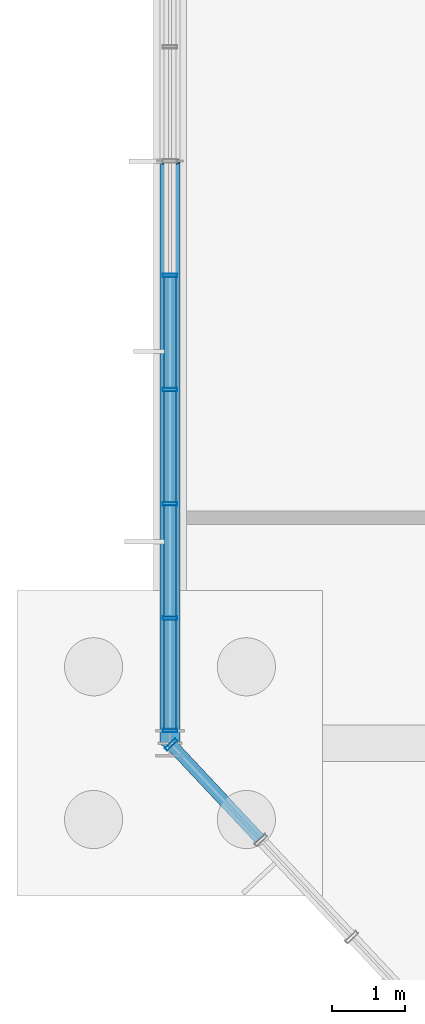
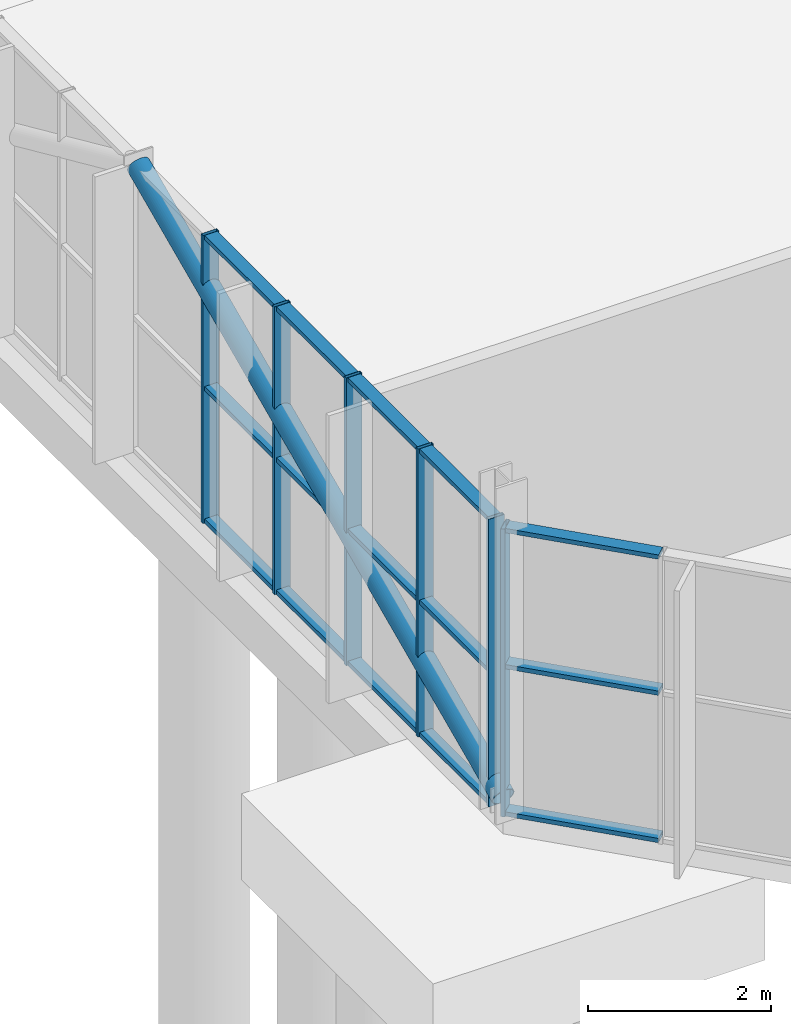
# One storey, part 28 of 136: 22 members, 2 elements without a shape of their own.
"""IFC4 building model written with IfcOpenShell, lengths in metres."""

from ifc_helpers import new_model, si_unit, direction, frame, origin, origin_2d, place, context, subcontext, project, spatial, hollow_rectangle, hollow_circle, extrude, material, layer, layer_set, material_profile, profile_set, type_object, element, aggregate, save


model = new_model("IFC4")

# Units and contexts
model_context = context("Model", 3, precision=1e-05, world=origin(), true_north=direction((0.0, 1.0)))
body_context = subcontext(model_context, "Body", "Model", "MODEL_VIEW")
ifc_project = project(units=[si_unit("LENGTHUNIT", "METRE"), si_unit("AREAUNIT", "SQUARE_METRE"), si_unit("VOLUMEUNIT", "CUBIC_METRE"), si_unit("PLANEANGLEUNIT", "RADIAN"), si_unit("MASSUNIT", "GRAM", prefix="KILO")], contexts=[model_context])

# Site, building, storey
site_placement = place(None, origin())
site = spatial("IfcSite", under=ifc_project, at=site_placement, CompositionType="ELEMENT")
building_placement = place(site_placement, origin())
building = spatial("IfcBuilding", under=site, at=building_placement, Name="Solvenia Promenade Tram Depot", CompositionType="ELEMENT")
storey_placement = place(building_placement, origin())
storey = spatial("IfcBuildingStorey", under=building, at=storey_placement, Name="L00", CompositionType="ELEMENT", Elevation=0.0)

# Member
ifc_material_1 = material(Name="Structural steel ASTM A500 Gr. C", Category="steel")
ifc_material_profile_1 = material_profile(ifc_material_1, hollow_circle(Radius=0.136474609375, WallThickness=0.010009765625, at=origin_2d()), Name="CHS273.0x10", Category="steel")
ifc_profile_set_1 = profile_set([ifc_material_profile_1], Name="Structural steel ASTM A500 Gr. C")
member_type_1 = type_object("IfcMemberType", Name="Brace-CHS273x10", PredefinedType="BRACE", material=ifc_profile_set_1)
member_1_placement = place(storey_placement, frame((0.0, 8.0, 0.199951171875), z_axis=(0.0, 0.91191733938, 0.410373934525), x_axis=(-1.0, 0.0, 0.0)))
element("IfcMember", 1, at=member_1_placement, inside=storey, type_object=member_type_1, Name="PAC-DES Chevron Brace 12L", PredefinedType="BRACE", context=body_context, shape_type="SweptSolid", body=[
    extrude(hollow_circle(Radius=0.136474609375, WallThickness=0.010009765625, at=origin_2d()), origin(), (0.0, 0.0, 1.0), 8.772705078125),
])

# Curtain wall, member
ifc_material_2 = material(Name="Anodized aluminium AW-6063 T6", Category="aluminium")
ifc_layer_1 = layer(ifc_material_2, 0.179931640625, Name="Anodized aluminium AW-6063 T6", Category="aluminium")
ifc_layer_set_1 = layer_set([ifc_layer_1], Name="Anodized aluminium AW-6063 T6")
curtain_wall_type_1 = type_object("IfcCurtainWallType", Name="CW-Prom-1800", PredefinedType="NOTDEFINED", material=ifc_layer_set_1)
curtain_wall_1_placement = place(storey_placement, origin())
curtain_wall_1 = element("IfcCurtainWall", 2, at=curtain_wall_1_placement, inside=storey, type_object=curtain_wall_type_1, Name="L00 West Park Faceted Prow Curtain Wall", PredefinedType="NOTDEFINED")
ifc_material_profile_2 = material_profile(ifc_material_2, hollow_rectangle(XDim=0.199951171875, YDim=0.048095703125, WallThickness=0.00390625, at=origin_2d()), Name="ALU-M3", Category="aluminium")
ifc_profile_set_2 = profile_set([ifc_material_profile_2], Name="Anodized aluminium AW-6063 T6")
member_type_2 = type_object("IfcMemberType", Name="CWM-Mullion-3", PredefinedType="MULLION", material=ifc_profile_set_2)
member_2_placement = place(storey_placement, frame((0.016357421875, 7.982421875, 0.0), z_axis=(0.0, 0.0, 1.0), x_axis=(0.72953720414, 0.683941128881, 0.0)))
member_2 = element("IfcMember", 3, at=member_2_placement, type_object=member_type_2, Name="CW-9 mullion 1", PredefinedType="MULLION", context=body_context, shape_type="SweptSolid", body=[
    extrude(hollow_rectangle(XDim=0.199951171875, YDim=0.048095703125, WallThickness=0.00390625, at=origin_2d()), origin(), (0.0, 0.0, 1.0), 3.85009765625),
])

# Curtain wall, members
ifc_layer_2 = layer(ifc_material_2, 0.179931640625, Name="Anodized aluminium AW-6063 T6", Category="aluminium")
ifc_layer_set_2 = layer_set([ifc_layer_2], Name="Anodized aluminium AW-6063 T6")
curtain_wall_type_2 = type_object("IfcCurtainWallType", Name="CW-Solar-1500", PredefinedType="NOTDEFINED", material=ifc_layer_set_2)
curtain_wall_2_placement = place(storey_placement, origin())
curtain_wall_2 = element("IfcCurtainWall", 4, at=curtain_wall_2_placement, inside=storey, type_object=curtain_wall_type_2, Name="Curtain Wall CW-V4W-L00", PredefinedType="NOTDEFINED")
member_3_placement = place(storey_placement, frame((0.0, 8.174072265625, 0.0), z_axis=(0.0, 0.0, 1.0), x_axis=(-1.0, 0.0, 0.0)))
member_3 = element("IfcMember", 5, at=member_3_placement, type_object=member_type_2, Name="CW-7 mullion 1", PredefinedType="MULLION", context=body_context, shape_type="SweptSolid", body=[
    extrude(hollow_rectangle(XDim=0.199951171875, YDim=0.048095703125, WallThickness=0.00390625, at=origin_2d()), origin(), (0.0, 0.0, 1.0), 3.85009765625),
])
member_4_placement = place(storey_placement, frame((0.0, 9.719970703125, 0.0), z_axis=(0.0, 0.0, 1.0), x_axis=(-1.0, 0.0, 0.0)))
member_4 = element("IfcMember", 6, at=member_4_placement, type_object=member_type_2, Name="CW-7 mullion 2", PredefinedType="MULLION", context=body_context, shape_type="SweptSolid", body=[
    extrude(hollow_rectangle(XDim=0.199951171875, YDim=0.048095703125, WallThickness=0.00390625, at=origin_2d()), origin(), (0.0, 0.0, 1.0), 3.85009765625),
])
member_5_placement = place(storey_placement, frame((0.0, 11.2900390625, 0.0), z_axis=(0.0, 0.0, 1.0), x_axis=(-1.0, 0.0, 0.0)))
member_5 = element("IfcMember", 7, at=member_5_placement, type_object=member_type_2, Name="CW-7 mullion 3", PredefinedType="MULLION", context=body_context, shape_type="SweptSolid", body=[
    extrude(hollow_rectangle(XDim=0.199951171875, YDim=0.048095703125, WallThickness=0.00390625, at=origin_2d()), origin(), (0.0, 0.0, 1.0), 3.85009765625),
])
member_6_placement = place(storey_placement, frame((0.0, 12.860107421875, 0.0), z_axis=(0.0, 0.0, 1.0), x_axis=(-1.0, 0.0, 0.0)))
member_6 = element("IfcMember", 8, at=member_6_placement, type_object=member_type_2, Name="CW-7 mullion 4", PredefinedType="MULLION", context=body_context, shape_type="SweptSolid", body=[
    extrude(hollow_rectangle(XDim=0.199951171875, YDim=0.048095703125, WallThickness=0.00390625, at=origin_2d()), origin(), (0.0, 0.0, 1.0), 3.85009765625),
])
member_7_placement = place(storey_placement, frame((0.0, 14.429931640625, 0.0), z_axis=(0.0, 0.0, 1.0), x_axis=(-1.0, 0.0, 0.0)))
member_7 = element("IfcMember", 9, at=member_7_placement, type_object=member_type_2, Name="CW-7 mullion 5", PredefinedType="MULLION", context=body_context, shape_type="SweptSolid", body=[
    extrude(hollow_rectangle(XDim=0.199951171875, YDim=0.048095703125, WallThickness=0.00390625, at=origin_2d()), origin(), (0.0, 0.0, 1.0), 3.85009765625),
])

# Member
ifc_material_profile_3 = material_profile(ifc_material_2, hollow_rectangle(XDim=0.159912109375, YDim=0.05810546875, WallThickness=0.00390625, at=origin_2d()), Name="ALU-T3", Category="aluminium")
ifc_profile_set_3 = profile_set([ifc_material_profile_3], Name="Anodized aluminium AW-6063 T6")
member_type_3 = type_object("IfcMemberType", Name="CWT-Transom-3", PredefinedType="USERDEFINED", material=ifc_profile_set_3)
member_8_placement = place(storey_placement, frame((0.03271484375, 7.965087890625, 0.029052734375), z_axis=(0.683936503845, -0.729541540084, 0.0), x_axis=(0.729541540084, 0.683936503845, 0.0)))
member_8 = element("IfcMember", 10, at=member_8_placement, type_object=member_type_3, Name="CW-9 transom 1.1", ObjectType="TRANSOM", PredefinedType="USERDEFINED", context=body_context, shape_type="SweptSolid", body=[
    extrude(hollow_rectangle(XDim=0.159912109375, YDim=0.05810546875, WallThickness=0.00390625, at=origin_2d()), origin(), (0.0, 0.0, 1.0), 1.755859375),
])

member_9_placement = place(storey_placement, frame((0.03271484375, 7.965087890625, 2.0), z_axis=(0.683936503845, -0.729541540084, 0.0), x_axis=(0.729541540084, 0.683936503845, 0.0)))
member_9 = element("IfcMember", 11, at=member_9_placement, type_object=member_type_3, Name="CW-9 transom 1.2", ObjectType="TRANSOM", PredefinedType="USERDEFINED", context=body_context, shape_type="SweptSolid", body=[
    extrude(hollow_rectangle(XDim=0.159912109375, YDim=0.05810546875, WallThickness=0.00390625, at=origin_2d()), origin(), (0.0, 0.0, 1.0), 1.755859375),
])

member_10_placement = place(storey_placement, frame((0.03271484375, 7.965087890625, 3.821044921875), z_axis=(0.683936503845, -0.729541540084, 0.0), x_axis=(0.729541540084, 0.683936503845, 0.0)))
member_10 = element("IfcMember", 12, at=member_10_placement, type_object=member_type_3, Name="CW-9 transom 1.3", ObjectType="TRANSOM", PredefinedType="USERDEFINED", context=body_context, shape_type="SweptSolid", body=[
    extrude(hollow_rectangle(XDim=0.159912109375, YDim=0.05810546875, WallThickness=0.00390625, at=origin_2d()), origin(), (0.0, 0.0, 1.0), 1.755859375),
])

aggregate(curtain_wall_1, [member_2, member_8, member_9, member_10])

member_11_placement = place(storey_placement, frame((0.0, 8.197998046875, 0.029052734375), z_axis=(0.0, 1.0, 0.0), x_axis=(-1.0, 0.0, 0.0)))
member_11 = element("IfcMember", 13, at=member_11_placement, type_object=member_type_3, Name="CW-7 transom 1.1", ObjectType="TRANSOM", PredefinedType="USERDEFINED", context=body_context, shape_type="SweptSolid", body=[
    extrude(hollow_rectangle(XDim=0.159912109375, YDim=0.05810546875, WallThickness=0.00390625, at=origin_2d()), origin(), (0.0, 0.0, 1.0), 1.498046875),
])

member_12_placement = place(storey_placement, frame((0.0, 8.197998046875, 1.800048828125), z_axis=(0.0, 1.0, 0.0), x_axis=(-1.0, 0.0, 0.0)))
member_12 = element("IfcMember", 14, at=member_12_placement, type_object=member_type_3, Name="CW-7 transom 1.2", ObjectType="TRANSOM", PredefinedType="USERDEFINED", context=body_context, shape_type="SweptSolid", body=[
    extrude(hollow_rectangle(XDim=0.159912109375, YDim=0.05810546875, WallThickness=0.00390625, at=origin_2d()), origin(), (0.0, 0.0, 1.0), 1.498046875),
])

member_13_placement = place(storey_placement, frame((0.0, 8.197998046875, 3.821044921875), z_axis=(0.0, 1.0, 0.0), x_axis=(-1.0, 0.0, 0.0)))
member_13 = element("IfcMember", 15, at=member_13_placement, type_object=member_type_3, Name="CW-7 transom 1.3", ObjectType="TRANSOM", PredefinedType="USERDEFINED", context=body_context, shape_type="SweptSolid", body=[
    extrude(hollow_rectangle(XDim=0.159912109375, YDim=0.05810546875, WallThickness=0.00390625, at=origin_2d()), origin(), (0.0, 0.0, 1.0), 1.498046875),
])

member_14_placement = place(storey_placement, frame((0.0, 9.743896484375, 0.029052734375), z_axis=(0.0, 1.0, 0.0), x_axis=(-1.0, 0.0, 0.0)))
member_14 = element("IfcMember", 16, at=member_14_placement, type_object=member_type_3, Name="CW-7 transom 2.1", ObjectType="TRANSOM", PredefinedType="USERDEFINED", context=body_context, shape_type="SweptSolid", body=[
    extrude(hollow_rectangle(XDim=0.159912109375, YDim=0.05810546875, WallThickness=0.00390625, at=origin_2d()), origin(), (0.0, 0.0, 1.0), 1.522216796875),
])

member_15_placement = place(storey_placement, frame((0.0, 9.743896484375, 1.800048828125), z_axis=(0.0, 1.0, 0.0), x_axis=(-1.0, 0.0, 0.0)))
member_15 = element("IfcMember", 17, at=member_15_placement, type_object=member_type_3, Name="CW-7 transom 2.2", ObjectType="TRANSOM", PredefinedType="USERDEFINED", context=body_context, shape_type="SweptSolid", body=[
    extrude(hollow_rectangle(XDim=0.159912109375, YDim=0.05810546875, WallThickness=0.00390625, at=origin_2d()), origin(), (0.0, 0.0, 1.0), 1.522216796875),
])

member_16_placement = place(storey_placement, frame((0.0, 9.743896484375, 3.821044921875), z_axis=(0.0, 1.0, 0.0), x_axis=(-1.0, 0.0, 0.0)))
member_16 = element("IfcMember", 18, at=member_16_placement, type_object=member_type_3, Name="CW-7 transom 2.3", ObjectType="TRANSOM", PredefinedType="USERDEFINED", context=body_context, shape_type="SweptSolid", body=[
    extrude(hollow_rectangle(XDim=0.159912109375, YDim=0.05810546875, WallThickness=0.00390625, at=origin_2d()), origin(), (0.0, 0.0, 1.0), 1.522216796875),
])

member_17_placement = place(storey_placement, frame((0.0, 11.31396484375, 0.029052734375), z_axis=(0.0, 1.0, 0.0), x_axis=(-1.0, 0.0, 0.0)))
member_17 = element("IfcMember", 19, at=member_17_placement, type_object=member_type_3, Name="CW-7 transom 3.1", ObjectType="TRANSOM", PredefinedType="USERDEFINED", context=body_context, shape_type="SweptSolid", body=[
    extrude(hollow_rectangle(XDim=0.159912109375, YDim=0.05810546875, WallThickness=0.00390625, at=origin_2d()), origin(), (0.0, 0.0, 1.0), 1.52197265625),
])

member_18_placement = place(storey_placement, frame((0.0, 11.31396484375, 1.800048828125), z_axis=(0.0, 1.0, 0.0), x_axis=(-1.0, 0.0, 0.0)))
member_18 = element("IfcMember", 20, at=member_18_placement, type_object=member_type_3, Name="CW-7 transom 3.2", ObjectType="TRANSOM", PredefinedType="USERDEFINED", context=body_context, shape_type="SweptSolid", body=[
    extrude(hollow_rectangle(XDim=0.159912109375, YDim=0.05810546875, WallThickness=0.00390625, at=origin_2d()), origin(), (0.0, 0.0, 1.0), 1.52197265625),
])

member_19_placement = place(storey_placement, frame((0.0, 11.31396484375, 3.821044921875), z_axis=(0.0, 1.0, 0.0), x_axis=(-1.0, 0.0, 0.0)))
member_19 = element("IfcMember", 21, at=member_19_placement, type_object=member_type_3, Name="CW-7 transom 3.3", ObjectType="TRANSOM", PredefinedType="USERDEFINED", context=body_context, shape_type="SweptSolid", body=[
    extrude(hollow_rectangle(XDim=0.159912109375, YDim=0.05810546875, WallThickness=0.00390625, at=origin_2d()), origin(), (0.0, 0.0, 1.0), 1.52197265625),
])

member_20_placement = place(storey_placement, frame((0.0, 12.884033203125, 0.029052734375), z_axis=(0.0, 1.0, 0.0), x_axis=(-1.0, 0.0, 0.0)))
member_20 = element("IfcMember", 22, at=member_20_placement, type_object=member_type_3, Name="CW-7 transom 4.1", ObjectType="TRANSOM", PredefinedType="USERDEFINED", context=body_context, shape_type="SweptSolid", body=[
    extrude(hollow_rectangle(XDim=0.159912109375, YDim=0.05810546875, WallThickness=0.00390625, at=origin_2d()), origin(), (0.0, 0.0, 1.0), 1.52197265625),
])

member_21_placement = place(storey_placement, frame((0.0, 12.884033203125, 1.800048828125), z_axis=(0.0, 1.0, 0.0), x_axis=(-1.0, 0.0, 0.0)))
member_21 = element("IfcMember", 23, at=member_21_placement, type_object=member_type_3, Name="CW-7 transom 4.2", ObjectType="TRANSOM", PredefinedType="USERDEFINED", context=body_context, shape_type="SweptSolid", body=[
    extrude(hollow_rectangle(XDim=0.159912109375, YDim=0.05810546875, WallThickness=0.00390625, at=origin_2d()), origin(), (0.0, 0.0, 1.0), 1.52197265625),
])

member_22_placement = place(storey_placement, frame((0.0, 12.884033203125, 3.821044921875), z_axis=(0.0, 1.0, 0.0), x_axis=(-1.0, 0.0, 0.0)))
member_22 = element("IfcMember", 24, at=member_22_placement, type_object=member_type_3, Name="CW-7 transom 4.3", ObjectType="TRANSOM", PredefinedType="USERDEFINED", context=body_context, shape_type="SweptSolid", body=[
    extrude(hollow_rectangle(XDim=0.159912109375, YDim=0.05810546875, WallThickness=0.00390625, at=origin_2d()), origin(), (0.0, 0.0, 1.0), 1.52197265625),
])

aggregate(curtain_wall_2, [member_3, member_4, member_5, member_6, member_7, member_11, member_12, member_13, member_14, member_15, member_16, member_17, member_18, member_19, member_20, member_21, member_22])

save(model, "model.ifc")
